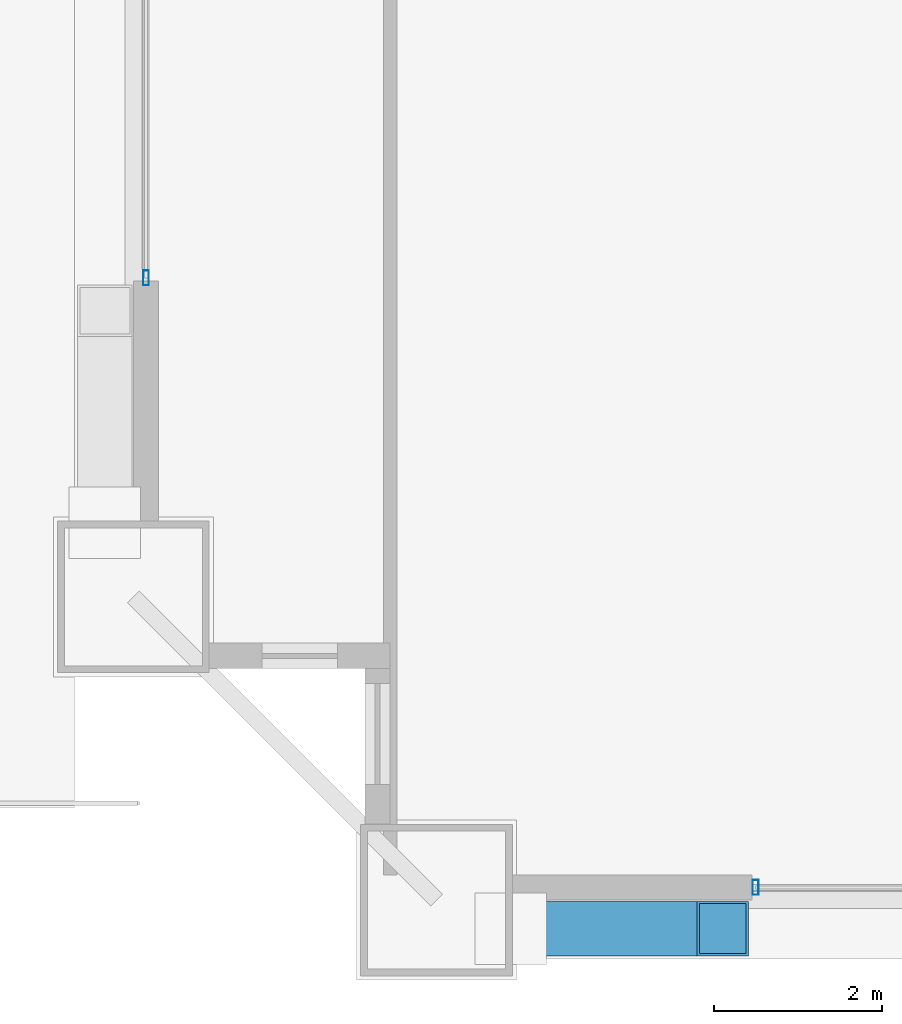
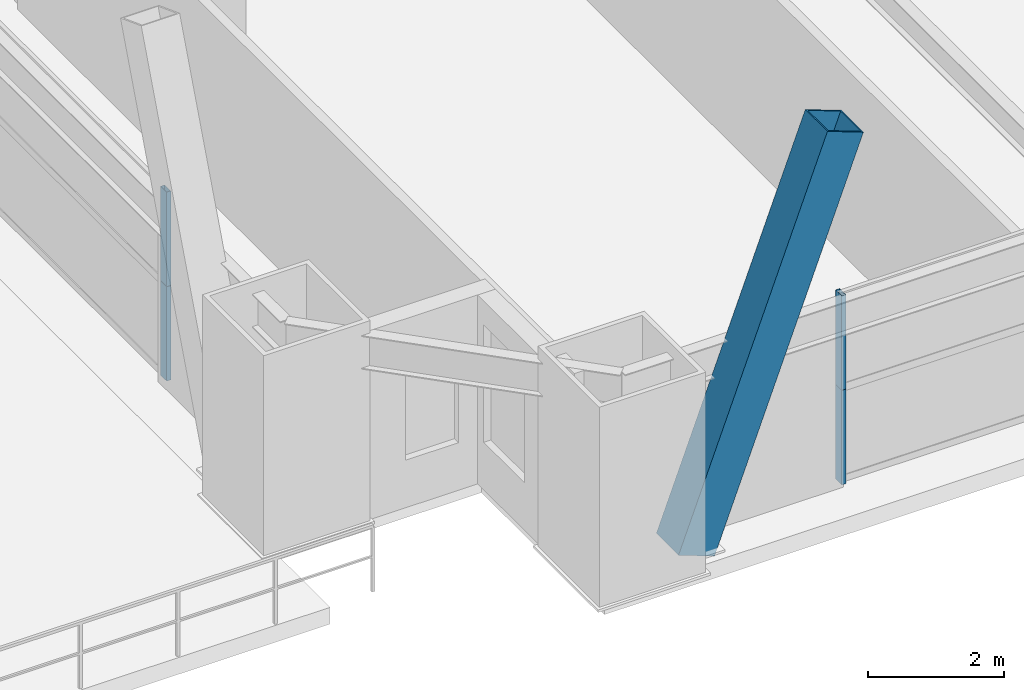
# One storey, part 3 of 45: 5 members, 2 elements without a shape of their own.
"""IFC4 building model written with IfcOpenShell, lengths in metres."""

import ifcopenshell
import ifcopenshell.guid

model = None  # the IFC model being written
_history = None  # IfcOwnerHistory: only IFC2X3 demands one
_inside = {}  # id of a spatial element -> (the spatial element, [elements in it])
_under = {}  # id of a project, library or spatial element -> (it, [spatial elements below it])
_declared = {}  # id of a project -> (the project, [libraries it declares])
_typed = {}  # id of a type object -> (the type object, [elements of that type])
_made_of = {}  # id of a material, layer set ... -> (it, [elements and type objects made of it])


def new_model(schema):
    """Start an empty IFC model of exactly this schema.

    Asked for "IFC4X3", IfcOpenShell would pick the latest addendum, in which some entities
    have other attributes; the version numbers below select the first issue.
    IFC2X3 requires an IfcOwnerHistory on every rooted entity: one is made here for all.
    """
    global model, _history
    if schema == "IFC4X3":
        model = ifcopenshell.file(schema_version=(4, 3, 0, 0))
    else:
        model = ifcopenshell.file(schema=schema)
    _inside.clear()
    _under.clear()
    _declared.clear()
    _typed.clear()
    _made_of.clear()
    _history = None
    if model.schema == "IFC2X3":
        org = make("IfcOrganization", Name="unknown")
        user = make(
            "IfcPersonAndOrganization",
            ThePerson=make("IfcPerson", FamilyName="unknown"),
            TheOrganization=org,
        )
        app = make(
            "IfcApplication",
            ApplicationDeveloper=org,
            Version="unknown",
            ApplicationFullName="unknown",
            ApplicationIdentifier="unknown",
        )
        _history = make(
            "IfcOwnerHistory",
            OwningUser=user,
            OwningApplication=app,
            ChangeAction="ADDED",
            CreationDate=0,
        )
    return model


def make(cls, **values):
    """One entity of the class cls with the attributes given. An attribute that is None is left unset."""
    return model.create_entity(
        cls, **{name: value for name, value in values.items() if value is not None}
    )


def rooted(cls, **values):
    """An entity with a GlobalId (a new one), such as an element, a storey or a relation."""
    return make(cls, GlobalId=ifcopenshell.guid.new(), OwnerHistory=_history, **values)


def si_unit(unit_type, name, prefix=None):
    """IfcSIUnit, for example si_unit("LENGTHUNIT", "METRE", prefix="MILLI")."""
    return make("IfcSIUnit", UnitType=unit_type, Prefix=prefix, Name=name)


def assignment(units):
    """IfcUnitAssignment: the units of a project."""
    return None if units is None else make("IfcUnitAssignment", Units=units)


def point(xyz):
    """IfcCartesianPoint."""
    return None if xyz is None else make("IfcCartesianPoint", Coordinates=xyz)


def direction(xyz):
    """IfcDirection."""
    return None if xyz is None else make("IfcDirection", DirectionRatios=xyz)


def frame(location, z_axis=None, x_axis=None):
    """IfcAxis2Placement3D, a coordinate frame: its origin and axes. An axis left out is left unset."""
    return make(
        "IfcAxis2Placement3D",
        Location=point(location),
        Axis=direction(z_axis),
        RefDirection=direction(x_axis),
    )


def frame_2d(location, x_axis=None):
    """IfcAxis2Placement2D, a coordinate frame in the plane: its origin and x axis."""
    return make(
        "IfcAxis2Placement2D", Location=point(location), RefDirection=direction(x_axis)
    )


def origin():
    """The frame at (0, 0, 0) with its axes left unset."""
    return frame((0.0, 0.0, 0.0))


def origin_2d():
    """The frame at (0, 0) in the plane with its x axis left unset."""
    return frame_2d((0.0, 0.0))


def place(relative_to, where):
    """IfcLocalPlacement: puts the frame where relative to a parent placement (None: the world)."""
    return make(
        "IfcLocalPlacement", PlacementRelTo=relative_to, RelativePlacement=where
    )


def context(
    kind, dimensions, precision=None, world=None, true_north=None, identifier=None
):
    """IfcGeometricRepresentationContext, for example the 3D "Model" context."""
    return make(
        "IfcGeometricRepresentationContext",
        ContextIdentifier=identifier,
        ContextType=kind,
        CoordinateSpaceDimension=dimensions,
        Precision=precision,
        WorldCoordinateSystem=world,
        TrueNorth=true_north,
    )


def subcontext(parent, identifier, kind, view, scale=None):
    """IfcGeometricRepresentationSubContext, for example "Body" below "Model"."""
    return make(
        "IfcGeometricRepresentationSubContext",
        ContextIdentifier=identifier,
        ContextType=kind,
        ParentContext=parent,
        TargetScale=scale,
        TargetView=view,
    )


def project(units=None, contexts=None):
    """IfcProject with its units and contexts."""
    return rooted(
        "IfcProject",
        Name="project",
        RepresentationContexts=contexts,
        UnitsInContext=assignment(units),
    )


def spatial(cls, under=None, at=None, **own):
    """A site, building, storey or space (cls), placed at a placement, below another one or the project."""
    s = rooted(cls, ObjectPlacement=at, **own)
    if under is not None:
        _under.setdefault(under.id(), (under, []))[1].append(s)
    return s


def profile(cls, at=None, kind="AREA", **sizes):
    """A parametric profile (cls). Its sizes go by their IFC names, for example OverallWidth=200.0."""
    return make(cls, ProfileType=kind, Position=at, **sizes)


def hollow_rectangle(**sizes):
    """IfcRectangleHollowProfileDef."""
    return profile("IfcRectangleHollowProfileDef", **sizes)


def extrude(swept, where, along, depth):
    """IfcExtrudedAreaSolid: the profile swept, set in the frame where, extruded along a direction by depth."""
    return make(
        "IfcExtrudedAreaSolid",
        SweptArea=swept,
        Position=where,
        ExtrudedDirection=direction(along),
        Depth=depth,
    )


def shape(context_of_items, identifier, shape_type, items):
    """IfcShapeRepresentation: the items that make up one representation, for example the "Body"."""
    return make(
        "IfcShapeRepresentation",
        ContextOfItems=context_of_items,
        RepresentationIdentifier=identifier,
        RepresentationType=shape_type,
        Items=items,
    )


def source(mapping_origin, context_of_items, identifier, shape_type, items):
    """IfcRepresentationMap: a shape defined once, which mapped items show again and again."""
    return make(
        "IfcRepresentationMap",
        MappingOrigin=mapping_origin,
        MappedRepresentation=shape(context_of_items, identifier, shape_type, items),
    )


def transform(
    local_origin,
    x_axis=None,
    y_axis=None,
    z_axis=None,
    scale=None,
    scale2=None,
    scale3=None,
    uniform=True,
):
    """IfcCartesianTransformationOperator3D, or its non-uniform kind. x_axis, y_axis, z_axis: its Axis1, 2, 3."""
    if uniform:
        return make(
            "IfcCartesianTransformationOperator3D",
            Axis1=direction(x_axis),
            Axis2=direction(y_axis),
            LocalOrigin=point(local_origin),
            Scale=scale,
            Axis3=direction(z_axis),
        )
    return make(
        "IfcCartesianTransformationOperator3DnonUniform",
        Axis1=direction(x_axis),
        Axis2=direction(y_axis),
        LocalOrigin=point(local_origin),
        Scale=scale,
        Axis3=direction(z_axis),
        Scale2=scale2,
        Scale3=scale3,
    )


def mapped(mapping_source, mapping_target):
    """IfcMappedItem: shows the shape of a source again, moved by a transform."""
    return make(
        "IfcMappedItem", MappingSource=mapping_source, MappingTarget=mapping_target
    )


def material(Name=None, Category=None):
    """IfcMaterial."""
    return make("IfcMaterial", Name=Name, Category=Category)


def layer(
    of_material, thickness, ventilated=None, Name=None, Category=None, Priority=None
):
    """IfcMaterialLayer: one layer of a wall or slab, of a material (None: an air gap)."""
    return make(
        "IfcMaterialLayer",
        Material=of_material,
        LayerThickness=thickness,
        IsVentilated=ventilated,
        Name=Name,
        Category=Category,
        Priority=Priority,
    )


def layer_set(layers, Name=None):
    """IfcMaterialLayerSet."""
    return make("IfcMaterialLayerSet", MaterialLayers=layers, LayerSetName=Name)


def material_profile(
    of_material, cross_section, Name=None, Category=None, Priority=None
):
    """IfcMaterialProfile: a cross section and its material."""
    return make(
        "IfcMaterialProfile",
        Name=Name,
        Material=of_material,
        Profile=cross_section,
        Priority=Priority,
        Category=Category,
    )


def profile_set(profiles, Name=None, composite=None):
    """IfcMaterialProfileSet."""
    return make(
        "IfcMaterialProfileSet",
        Name=Name,
        MaterialProfiles=profiles,
        CompositeProfile=composite,
    )


def made_of(thing, what):
    """Note that an element or type object is made of a material, layer set ...; save() writes the relation."""
    if what is not None:
        _made_of.setdefault(what.id(), (what, []))[1].append(thing)
    return thing


def type_object(cls, material=None, **own):
    """A type object (cls), such as IfcWallType, which elements share."""
    return made_of(rooted(cls, **own), material)


def element(
    cls,
    number,
    at=None,
    inside=None,
    cuts=None,
    type_object=None,
    material=None,
    context=None,
    identifier="Body",
    shape_type=None,
    held_by="IfcProductDefinitionShape",
    body=None,
    shapes=None,
    **own,
):
    """One element of the class cls, such as IfcWall. Its Tag is "e" and its number.

    at: its placement. inside: the storey or other place that contains it. cuts: it is an
    opening in that element (IfcRelVoidsElement). A single representation is given by context,
    identifier, shape_type and body (its items); several are given by shapes. held_by: the class
    of the entity that holds the representations. save() writes the other relations.
    """
    e = rooted(cls, Tag="e%d" % number, ObjectPlacement=at, **own)
    if body is not None:
        shapes = [shape(context, identifier, shape_type, body)]
    if shapes is not None:
        e.Representation = make(held_by, Representations=shapes)
    if inside is not None:
        _inside.setdefault(inside.id(), (inside, []))[1].append(e)
    if cuts is not None:
        rooted(
            "IfcRelVoidsElement", RelatingBuildingElement=cuts, RelatedOpeningElement=e
        )
    if type_object is not None:
        _typed.setdefault(type_object.id(), (type_object, []))[1].append(e)
    return made_of(e, material)


def aggregate(whole, parts):
    """IfcRelAggregates: a whole, such as a stair, and the parts it consists of."""
    return rooted("IfcRelAggregates", RelatingObject=whole, RelatedObjects=parts)


def save(model, path):
    """Write the relations noted so far, then the file.

    IfcRelAggregates (storeys below a building ...), IfcRelContainedInSpatialStructure (elements
    in a storey), IfcRelDefinesByType, IfcRelAssociatesMaterial and IfcRelDeclares: one each for
    every whole, place, type object, material and project.
    """
    for whole, parts in _under.values():
        aggregate(whole, parts)
    for where, things in _inside.values():
        rooted(
            "IfcRelContainedInSpatialStructure",
            RelatedElements=things,
            RelatingStructure=where,
        )
    for kind, things in _typed.values():
        rooted("IfcRelDefinesByType", RelatedObjects=things, RelatingType=kind)
    for what, things in _made_of.values():
        rooted("IfcRelAssociatesMaterial", RelatedObjects=things, RelatingMaterial=what)
    for by, libraries in _declared.values():
        rooted("IfcRelDeclares", RelatingContext=by, RelatedDefinitions=libraries)
    model.write(path)


model = new_model("IFC4")

# Units and contexts
model_context = context("Model", 3, precision=1e-05, world=origin(), true_north=direction((0.0, 1.0)))
body_context = subcontext(model_context, "Body", "Model", "MODEL_VIEW")
ifc_project = project(units=[si_unit("LENGTHUNIT", "METRE"), si_unit("AREAUNIT", "SQUARE_METRE"), si_unit("VOLUMEUNIT", "CUBIC_METRE"), si_unit("PLANEANGLEUNIT", "RADIAN"), si_unit("MASSUNIT", "GRAM", prefix="KILO"), si_unit("THERMODYNAMICTEMPERATUREUNIT", "KELVIN"), si_unit("POWERUNIT", "WATT")], contexts=[model_context])

# Site, building, storey
site_placement = place(None, origin())
site = spatial("IfcSite", under=ifc_project, at=site_placement, CompositionType="ELEMENT")
building_placement = place(site_placement, origin())
building = spatial("IfcBuilding", under=site, at=building_placement, Name="Yuzanri Waterfront Tower", CompositionType="ELEMENT")
storey_placement = place(building_placement, frame((0.0, 0.0, 30.60009765625)))
storey = spatial("IfcBuildingStorey", under=building, at=storey_placement, Name="L07", CompositionType="ELEMENT", Elevation=30.60009765625)

# Member
ifc_material_1 = material(Name="Steel Q420GJC", Category="steel")
ifc_material_profile_1 = material_profile(ifc_material_1, hollow_rectangle(XDim=0.64990234375, YDim=0.64990234375, WallThickness=0.028076171875, at=origin_2d()), Name="RHS 650x650x28")
ifc_profile_set_1 = profile_set([ifc_material_profile_1], Name="Steel Q420GJC")
member_type_1 = type_object("IfcMemberType", Name="Mega Brace Lower Q420GJC RHS 650x650x28", PredefinedType="BRACE", material=ifc_profile_set_1)
shared_shape_1 = source(origin(), body_context, "Body", "SweptSolid", [
    extrude(hollow_rectangle(XDim=0.64990234375, YDim=0.64990234375, WallThickness=0.028076171875, at=origin_2d()), origin(), (0.0, 0.0, 1.0), 7.158203125),
])
member_1_placement = place(storey_placement, frame((16.3798828125, 0.360107421875, 0.179931640625), z_axis=(0.352046480343, 0.0, 0.935982518896), x_axis=(0.0, 1.0, 0.0)))
element("IfcMember", 1, at=member_1_placement, inside=storey, type_object=member_type_1, Name="L07-L08 Perimeter Mega-Brace S-L", PredefinedType="BRACE", context=body_context, shape_type="MappedRepresentation", body=[
    mapped(shared_shape_1, transform((0.0, 0.0, 0.0), scale=1.0)),
])

# Curtain wall, members
ifc_material_2 = material(Name="Anodized Architectural Bronze", Category="metal")
ifc_layer = layer(ifc_material_2, 0.159912109375)
ifc_layer_set = layer_set([ifc_layer], Name="Anodized Architectural Bronze")
curtain_wall_type = type_object("IfcCurtainWallType", Name="Anodized Bronze Hotel Lower-Tier Recessed Unitized Curtain Wall 8100", PredefinedType="NOTDEFINED", material=ifc_layer_set)
curtain_wall_1_placement = place(storey_placement, origin())
curtain_wall_1 = element("IfcCurtainWall", 2, at=curtain_wall_1_placement, inside=storey, type_object=curtain_wall_type, Name="L07 Curtain Wall CW-L07-SL", PredefinedType="NOTDEFINED")
ifc_material_3 = material(Name="Anodized Architectural Bronze", Category="metal")
ifc_material_profile_2 = material_profile(ifc_material_3, hollow_rectangle(XDim=0.070068359375, YDim=0.179931640625, WallThickness=0.00390625, at=origin_2d()), Name="CWM 70x180")
ifc_profile_set_2 = profile_set([ifc_material_profile_2], Name="Anodized Architectural Bronze")
member_type_2 = type_object("IfcMemberType", Name="Anodized Bronze Standard Curtain-Wall Mullion 70x180", PredefinedType="MULLION", material=ifc_profile_set_2)
shared_shape_2 = source(origin(), body_context, "Body", "SweptSolid", [
    extrude(hollow_rectangle(XDim=0.070068359375, YDim=0.179931640625, WallThickness=0.00390625, at=origin_2d()), origin(), (0.0, 0.0, 1.0), 1.68798828125),
])
member_2_placement = place(storey_placement, frame((19.2900390625, 0.85009765625, 0.0), z_axis=(0.0, 0.0, 1.0), x_axis=(1.0, 0.0, 0.0)))
member_2 = element("IfcMember", 3, at=member_2_placement, type_object=member_type_2, Name="CW-L07-SL Lower Mullion 00", PredefinedType="MULLION", context=body_context, shape_type="MappedRepresentation", body=[
    mapped(shared_shape_2, transform((0.0, 0.0, 0.0), scale=1.0)),
])
member_3_placement = place(storey_placement, frame((19.2900390625, 0.85009765625, 1.69189453125), z_axis=(0.0, 0.0, 1.0), x_axis=(1.0, 0.0, 0.0)))
member_3 = element("IfcMember", 4, at=member_3_placement, type_object=member_type_2, Name="CW-L07-SL Upper Mullion 00", PredefinedType="MULLION", context=body_context, shape_type="MappedRepresentation", body=[
    mapped(shared_shape_2, transform((0.0, 0.0, 0.0), scale=1.0)),
])
aggregate(curtain_wall_1, [member_2, member_3])

curtain_wall_2_placement = place(storey_placement, origin())
curtain_wall_2 = element("IfcCurtainWall", 5, at=curtain_wall_2_placement, inside=storey, type_object=curtain_wall_type, Name="L07 Curtain Wall CW-L07-WL1", PredefinedType="NOTDEFINED")
member_4_placement = place(storey_placement, frame((12.050048828125, 8.090087890625, 0.0), z_axis=(0.0, 0.0, 1.0), x_axis=(1.0, 0.0, 0.0)))
member_4 = element("IfcMember", 6, at=member_4_placement, type_object=member_type_2, Name="CW-L07-WL1 Lower Mullion 00", PredefinedType="MULLION", context=body_context, shape_type="MappedRepresentation", body=[
    mapped(shared_shape_2, transform((0.0, 0.0, 0.0), scale=1.0)),
])
member_5_placement = place(storey_placement, frame((12.050048828125, 8.090087890625, 1.69189453125), z_axis=(0.0, 0.0, 1.0), x_axis=(1.0, 0.0, 0.0)))
member_5 = element("IfcMember", 7, at=member_5_placement, type_object=member_type_2, Name="CW-L07-WL1 Upper Mullion 00", PredefinedType="MULLION", context=body_context, shape_type="MappedRepresentation", body=[
    mapped(shared_shape_2, transform((0.0, 0.0, 0.0), scale=1.0)),
])
aggregate(curtain_wall_2, [member_4, member_5])

save(model, "model.ifc")
